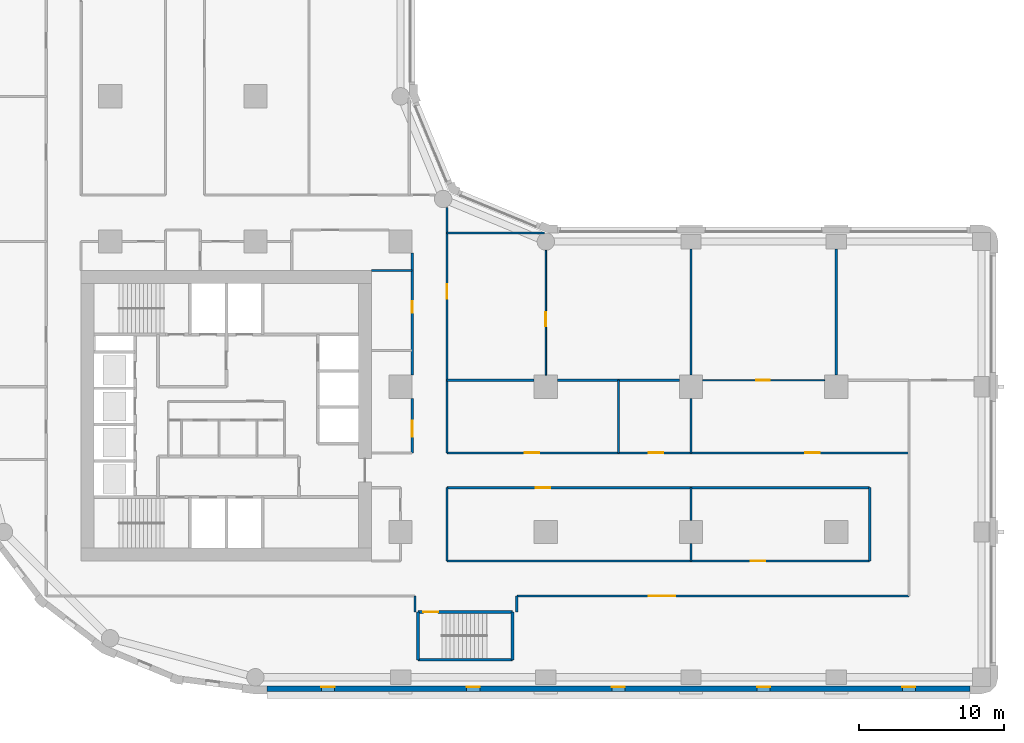
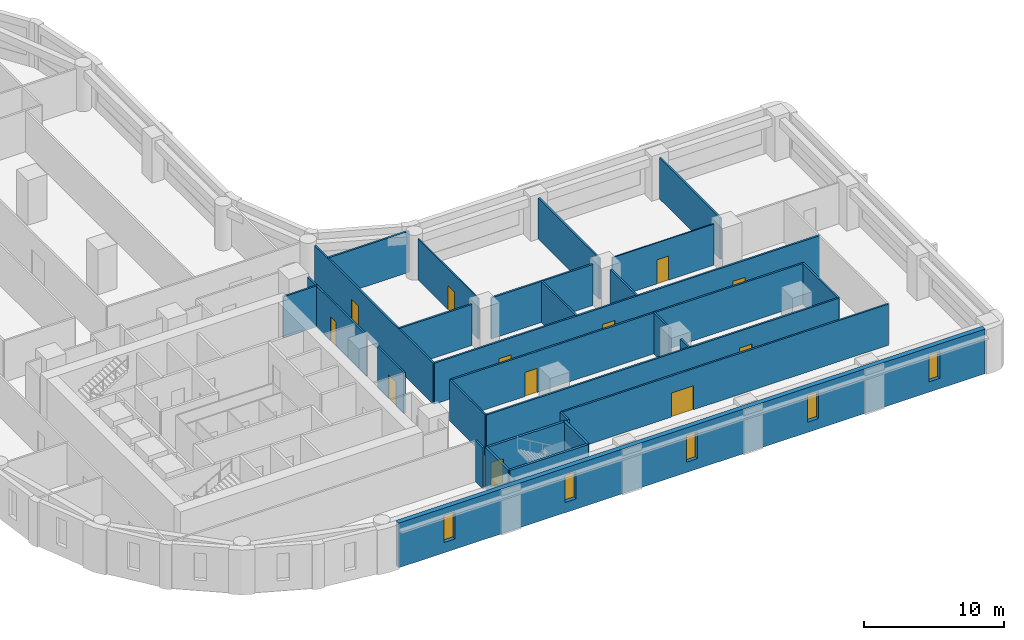
# One storey, part 4 of 10: 28 walls, 12 doors, 5 windows, 17 openings.
"""IFC4 building model written with IfcOpenShell, lengths in metres."""

from ifc_helpers import new_model, si_unit, direction, frame, frame_2d, origin, place, context, subcontext, project, spatial, rectangle, extrude, material, layer, layer_set, type_object, element, fill, save


model = new_model("IFC4")

# Units and contexts
model_context = context("Model", 3, precision=1e-05, world=origin(), true_north=direction((0.0, 1.0)))
body_context = subcontext(model_context, "Body", "Model", "MODEL_VIEW")
ifc_project = project(units=[si_unit("LENGTHUNIT", "METRE"), si_unit("AREAUNIT", "SQUARE_METRE"), si_unit("VOLUMEUNIT", "CUBIC_METRE"), si_unit("PLANEANGLEUNIT", "RADIAN"), si_unit("MASSUNIT", "GRAM", prefix="KILO")], contexts=[model_context])

# Site, building, storey
site_placement = place(None, origin())
site = spatial("IfcSite", under=ifc_project, at=site_placement, CompositionType="ELEMENT")
building_placement = place(site_placement, origin())
building = spatial("IfcBuilding", under=site, at=building_placement, Name="Qaws Garden Tower", CompositionType="ELEMENT")
storey_placement = place(building_placement, frame((0.0, 0.0, 74.39990234375)))
storey = spatial("IfcBuildingStorey", under=building, at=storey_placement, Name="L18", CompositionType="ELEMENT", Elevation=74.39990234375)

# Wall, openings, windows
ifc_material_1 = material(Name="Clay facing brick masonry", Category="masonry")
ifc_layer_1 = layer(ifc_material_1, 0.39990234375)
ifc_layer_set_1 = layer_set([ifc_layer_1], Name="Clay facing brick masonry")
wall_type_1 = type_object("IfcWallType", Name="Brick infill wall 400", PredefinedType="SOLIDWALL", material=ifc_layer_set_1)
wall_1_placement = place(storey_placement, frame((20.800048828125, -0.800048828125, 0.0), z_axis=(0.0, 0.0, 1.0), x_axis=(1.0, 0.0, 0.0)))
wall_1 = element("IfcWall", 1, at=wall_1_placement, inside=storey, type_object=wall_type_1, Name="E-L18-infill-00", PredefinedType="SOLIDWALL", context=body_context, shape_type="SweptSolid", body=[
    extrude(rectangle(XDim=48.39990234375, YDim=0.39990234375, at=frame_2d((24.199951171875, 0.0))), origin(), (0.0, 0.0, 1.0), 3.900146484375),
])
opening_1_placement = place(wall_1_placement, frame((3.75, 0.0, 0.89990234375)))
opening_1 = element("IfcOpeningElement", 2, at=opening_1_placement, cuts=wall_1, Name="Opening W09", PredefinedType="OPENING", context=body_context, shape_type="SweptSolid", body=[
    extrude(rectangle(XDim=0.89990234375, YDim=2.35009765625, at=frame_2d((0.449951171875, 1.175048828125))), frame((0.0, 0.2099609375, 0.0), z_axis=(0.0, -1.0, 0.0), x_axis=(1.0, 0.0, 0.0)), (0.0, 0.0, 1.0), 0.419921875),
])
opening_2_placement = place(wall_1_placement, frame((13.75, 0.0, 0.89990234375)))
opening_2 = element("IfcOpeningElement", 3, at=opening_2_placement, cuts=wall_1, Name="Opening W09", PredefinedType="OPENING", context=body_context, shape_type="SweptSolid", body=[
    extrude(rectangle(XDim=0.89990234375, YDim=2.35009765625, at=frame_2d((0.449951171875, 1.175048828125))), frame((0.0, 0.2099609375, 0.0), z_axis=(0.0, -1.0, 0.0), x_axis=(1.0, 0.0, 0.0)), (0.0, 0.0, 1.0), 0.419921875),
])
opening_3_placement = place(wall_1_placement, frame((23.75, 0.0, 0.89990234375)))
opening_3 = element("IfcOpeningElement", 4, at=opening_3_placement, cuts=wall_1, Name="Opening W09", PredefinedType="OPENING", context=body_context, shape_type="SweptSolid", body=[
    extrude(rectangle(XDim=0.89990234375, YDim=2.35009765625, at=frame_2d((0.449951171875, 1.175048828125))), frame((0.0, 0.2099609375, 0.0), z_axis=(0.0, -1.0, 0.0), x_axis=(1.0, 0.0, 0.0)), (0.0, 0.0, 1.0), 0.419921875),
])
opening_4_placement = place(wall_1_placement, frame((33.75, 0.0, 0.89990234375)))
opening_4 = element("IfcOpeningElement", 5, at=opening_4_placement, cuts=wall_1, Name="Opening W09", PredefinedType="OPENING", context=body_context, shape_type="SweptSolid", body=[
    extrude(rectangle(XDim=0.89990234375, YDim=2.35009765625, at=frame_2d((0.449951171875, 1.175048828125))), frame((0.0, 0.2099609375, 0.0), z_axis=(0.0, -1.0, 0.0), x_axis=(1.0, 0.0, 0.0)), (0.0, 0.0, 1.0), 0.419921875),
])
opening_5_placement = place(wall_1_placement, frame((43.75, 0.0, 0.89990234375)))
opening_5 = element("IfcOpeningElement", 6, at=opening_5_placement, cuts=wall_1, Name="Opening W09", PredefinedType="OPENING", context=body_context, shape_type="SweptSolid", body=[
    extrude(rectangle(XDim=0.89990234375, YDim=2.35009765625, at=frame_2d((0.449951171875, 1.175048828125))), frame((0.0, 0.2099609375, 0.0), z_axis=(0.0, -1.0, 0.0), x_axis=(1.0, 0.0, 0.0)), (0.0, 0.0, 1.0), 0.419921875),
])
ifc_material_2 = material(Name="Aluminium framed window, clear glazing", Category="aluminium")
window_type = type_object("IfcWindowType", Name="Slit window 900 x 2350", PartitioningType="SINGLE_PANEL", PredefinedType="WINDOW", material=ifc_material_2)
window_1_placement = place(opening_1_placement, origin())
window_1 = element("IfcWindow", 7, at=window_1_placement, inside=storey, type_object=window_type, Name="E-L18-window-00-0", OverallHeight=2.35009765625, OverallWidth=0.89990234375, PartitioningType="SINGLE_PANEL", PredefinedType="WINDOW", context=body_context, shape_type="SweptSolid", body=[
    extrude(rectangle(XDim=0.89990234375, YDim=2.35009765625, at=frame_2d((0.449951171875, 1.175048828125))), frame((0.0, 0.159912109375, 0.0), z_axis=(0.0, -1.0, 0.0), x_axis=(1.0, 0.0, 0.0)), (0.0, 0.0, 1.0), 0.06005859375),
])
fill(opening_1, window_1)
window_2_placement = place(opening_2_placement, origin())
window_2 = element("IfcWindow", 8, at=window_2_placement, inside=storey, type_object=window_type, Name="E-L18-window-01-0", OverallHeight=2.35009765625, OverallWidth=0.89990234375, PartitioningType="SINGLE_PANEL", PredefinedType="WINDOW", context=body_context, shape_type="SweptSolid", body=[
    extrude(rectangle(XDim=0.89990234375, YDim=2.35009765625, at=frame_2d((0.449951171875, 1.175048828125))), frame((0.0, 0.159912109375, 0.0), z_axis=(0.0, -1.0, 0.0), x_axis=(1.0, 0.0, 0.0)), (0.0, 0.0, 1.0), 0.06005859375),
])
fill(opening_2, window_2)
window_3_placement = place(opening_3_placement, origin())
window_3 = element("IfcWindow", 9, at=window_3_placement, inside=storey, type_object=window_type, Name="E-L18-window-02-0", OverallHeight=2.35009765625, OverallWidth=0.89990234375, PartitioningType="SINGLE_PANEL", PredefinedType="WINDOW", context=body_context, shape_type="SweptSolid", body=[
    extrude(rectangle(XDim=0.89990234375, YDim=2.35009765625, at=frame_2d((0.449951171875, 1.175048828125))), frame((0.0, 0.159912109375, 0.0), z_axis=(0.0, -1.0, 0.0), x_axis=(1.0, 0.0, 0.0)), (0.0, 0.0, 1.0), 0.06005859375),
])
fill(opening_3, window_3)
window_4_placement = place(opening_4_placement, origin())
window_4 = element("IfcWindow", 10, at=window_4_placement, inside=storey, type_object=window_type, Name="E-L18-window-03-0", OverallHeight=2.35009765625, OverallWidth=0.89990234375, PartitioningType="SINGLE_PANEL", PredefinedType="WINDOW", context=body_context, shape_type="SweptSolid", body=[
    extrude(rectangle(XDim=0.89990234375, YDim=2.35009765625, at=frame_2d((0.449951171875, 1.175048828125))), frame((0.0, 0.159912109375, 0.0), z_axis=(0.0, -1.0, 0.0), x_axis=(1.0, 0.0, 0.0)), (0.0, 0.0, 1.0), 0.06005859375),
])
fill(opening_4, window_4)
window_5_placement = place(opening_5_placement, origin())
window_5 = element("IfcWindow", 11, at=window_5_placement, inside=storey, type_object=window_type, Name="E-L18-window-04-0", OverallHeight=2.35009765625, OverallWidth=0.89990234375, PartitioningType="SINGLE_PANEL", PredefinedType="WINDOW", context=body_context, shape_type="SweptSolid", body=[
    extrude(rectangle(XDim=0.89990234375, YDim=2.35009765625, at=frame_2d((0.449951171875, 1.175048828125))), frame((0.0, 0.159912109375, 0.0), z_axis=(0.0, -1.0, 0.0), x_axis=(1.0, 0.0, 0.0)), (0.0, 0.0, 1.0), 0.06005859375),
])
fill(opening_5, window_5)

# Wall
ifc_material_3 = material(Name="Concrete C80", Category="concrete")
ifc_layer_2 = layer(ifc_material_3, 0.199951171875)
ifc_layer_set_2 = layer_set([ifc_layer_2], Name="Concrete C80")
wall_type_2 = type_object("IfcWallType", Name="Core shaft wall 200 C80", PredefinedType="SHEAR", material=ifc_layer_set_2)
wall_2_placement = place(storey_placement, frame((31.199951171875, 1.199951171875, 0.0), z_axis=(0.0, 0.0, 1.0), x_axis=(1.0, 0.0, 0.0)))
element("IfcWall", 12, at=wall_2_placement, inside=storey, type_object=wall_type_2, Name="Shaft wall", PredefinedType="SHEAR", context=body_context, shape_type="SweptSolid", body=[
    extrude(rectangle(XDim=6.5, YDim=0.199951171875, at=frame_2d((3.25, 0.0))), origin(), (0.0, 0.0, 1.0), 3.580078125),
])

# Wall, opening, door
wall_3_placement = place(storey_placement, frame((31.199951171875, 4.5, 0.0), z_axis=(0.0, 0.0, 1.0), x_axis=(1.0, 0.0, 0.0)))
wall_3 = element("IfcWall", 13, at=wall_3_placement, inside=storey, type_object=wall_type_2, Name="Shaft wall", PredefinedType="SHEAR", context=body_context, shape_type="SweptSolid", body=[
    extrude(rectangle(XDim=6.5, YDim=0.199951171875, at=frame_2d((3.25, 0.0))), origin(), (0.0, 0.0, 1.0), 3.580078125),
])
opening_6_placement = place(wall_3_placement, frame((0.375, 0.0, 0.0)))
opening_6 = element("IfcOpeningElement", 14, at=opening_6_placement, cuts=wall_3, Name="Opening SD12", PredefinedType="OPENING", context=body_context, shape_type="SweptSolid", body=[
    extrude(rectangle(XDim=1.0, YDim=2.10009765625, at=frame_2d((0.5, 1.050048828125))), frame((0.0, 0.10986328125, 0.0), z_axis=(0.0, -1.0, 0.0), x_axis=(1.0, 0.0, 0.0)), (0.0, 0.0, 1.0), 0.219970703125),
])
ifc_material_4 = material(Name="Steel S235", Category="steel")
door_type_1 = type_object("IfcDoorType", Name="Stair door 1000x2100", OperationType="SINGLE_SWING_RIGHT", PredefinedType="DOOR", material=ifc_material_4)
door_1_placement = place(opening_6_placement, frame((1.0, 0.0, 0.0), z_axis=(0.0, 0.0, 1.0), x_axis=(-1.0, 0.0, 0.0)))
door_1 = element("IfcDoor", 15, at=door_1_placement, inside=storey, type_object=door_type_1, Name="Stair 5 door", OperationType="SINGLE_SWING_RIGHT", OverallHeight=2.10009765625, OverallWidth=1.0, PredefinedType="DOOR", context=body_context, shape_type="SweptSolid", body=[
    extrude(rectangle(XDim=1.0, YDim=2.10009765625, at=frame_2d((0.5, 1.050048828125))), frame((0.0, 0.02490234375, 0.0), z_axis=(0.0, -1.0, 0.0), x_axis=(1.0, 0.0, 0.0)), (0.0, 0.0, 1.0), 0.050048828125),
])
fill(opening_6, door_1)

# Walls
for number, where, z_axis, x_axis, name in (
    (16, (31.199951171875, 1.199951171875, 0.0), (0.0, 0.0, 1.0), (0.0, 1.0, 0.0), "Shaft wall"),
    (17, (37.699951171875, 1.199951171875, 0.0), (0.0, 0.0, 1.0), (0.0, 1.0, 0.0), "Shaft wall"),
):
    element("IfcWall", number, at=place(storey_placement, frame(where, z_axis=z_axis, x_axis=x_axis)), inside=storey, type_object=wall_type_2, Name=name, PredefinedType="SHEAR", context=body_context, shape_type="SweptSolid", body=[
        extrude(rectangle(XDim=3.300048828125, YDim=0.199951171875, at=frame_2d((1.64990234375, 0.0))), origin(), (0.0, 0.0, 1.0), 3.580078125),
    ])

# Wall, opening, door
ifc_material_5 = material(Name="Gypsum board partition")
ifc_layer_3 = layer(ifc_material_5, 0.10009765625)
ifc_layer_set_3 = layer_set([ifc_layer_3], Name="Gypsum board partition")
wall_type_3 = type_object("IfcWallType", Name="PARTITION 100", PredefinedType="PARTITIONING", material=ifc_layer_set_3)
wall_4_placement = place(storey_placement, frame((40.0, 20.800048828125, 0.0), z_axis=(0.0, 0.0, 1.0), x_axis=(0.0, 1.0, 0.0)))
wall_4 = element("IfcWall", 18, at=wall_4_placement, inside=storey, type_object=wall_type_3, Name="O-L18-wall-001", PredefinedType="PARTITIONING", context=body_context, shape_type="SweptSolid", body=[
    extrude(rectangle(XDim=8.599853515625, YDim=0.10009765625, at=frame_2d((4.2998046875, 0.0))), origin(), (0.0, 0.0, 1.0), 3.580078125),
])
opening_7_placement = place(wall_4_placement, frame((3.375, 0.0, 0.0)))
opening_7 = element("IfcOpeningElement", 19, at=opening_7_placement, cuts=wall_4, Name="Opening A626", PredefinedType="OPENING", context=body_context, shape_type="SweptSolid", body=[
    extrude(rectangle(XDim=0.949951171875, YDim=2.10009765625, at=frame_2d((0.47509765625, 1.050048828125))), frame((0.0, 0.06005859375, 0.0), z_axis=(0.0, -1.0, 0.0), x_axis=(1.0, 0.0, 0.0)), (0.0, 0.0, 1.0), 0.1201171875),
])
ifc_material_6 = material(Name="Timber and glass door leaf", Category="wood")
door_type_2 = type_object("IfcDoorType", Name="GLAZED DOOR 950 X 2100", OperationType="SINGLE_SWING_LEFT", PredefinedType="DOOR", material=ifc_material_6)
door_2_placement = place(opening_7_placement, origin())
door_2 = element("IfcDoor", 20, at=door_2_placement, inside=storey, type_object=door_type_2, Name="O-L18-door-026", OperationType="SINGLE_SWING_RIGHT", OverallHeight=2.10009765625, OverallWidth=0.949951171875, PredefinedType="DOOR", context=body_context, shape_type="SweptSolid", body=[
    extrude(rectangle(XDim=0.949951171875, YDim=2.10009765625, at=frame_2d((0.47509765625, 1.050048828125))), frame((0.0, 0.02490234375, 0.0), z_axis=(0.0, -1.0, 0.0), x_axis=(1.0, 0.0, 0.0)), (0.0, 0.0, 1.0), 0.050048828125),
])
fill(opening_7, door_2)

wall_5_placement = place(storey_placement, frame((50.800048828125, 20.449951171875, 0.0), z_axis=(0.0, 0.0, 1.0), x_axis=(1.0, 0.0, 0.0)))
wall_5 = element("IfcWall", 21, at=wall_5_placement, inside=storey, type_object=wall_type_3, Name="O-L18-wall-002", PredefinedType="PARTITIONING", context=body_context, shape_type="SweptSolid", body=[
    extrude(rectangle(XDim=8.39990234375, YDim=0.10009765625, at=frame_2d((4.199951171875, 0.0))), origin(), (0.0, 0.0, 1.0), 3.580078125),
])
opening_8_placement = place(wall_5_placement, frame((3.675048828125, 0.0, 0.0)))
opening_8 = element("IfcOpeningElement", 22, at=opening_8_placement, cuts=wall_5, Name="Opening A627", PredefinedType="OPENING", context=body_context, shape_type="SweptSolid", body=[
    extrude(rectangle(XDim=0.949951171875, YDim=2.10009765625, at=frame_2d((0.47509765625, 1.050048828125))), frame((0.0, 0.06005859375, 0.0), z_axis=(0.0, -1.0, 0.0), x_axis=(1.0, 0.0, 0.0)), (0.0, 0.0, 1.0), 0.1201171875),
])
door_3_placement = place(opening_8_placement, frame((0.949951171875, 0.0, 0.0), z_axis=(0.0, 0.0, 1.0), x_axis=(-1.0, 0.0, 0.0)))
door_3 = element("IfcDoor", 23, at=door_3_placement, inside=storey, type_object=door_type_2, Name="O-L18-door-027", OperationType="SINGLE_SWING_RIGHT", OverallHeight=2.10009765625, OverallWidth=0.949951171875, PredefinedType="DOOR", context=body_context, shape_type="SweptSolid", body=[
    extrude(rectangle(XDim=0.949951171875, YDim=2.10009765625, at=frame_2d((0.47509765625, 1.050048828125))), frame((0.0, 0.02490234375, 0.0), z_axis=(0.0, -1.0, 0.0), x_axis=(1.0, 0.0, 0.0)), (0.0, 0.0, 1.0), 0.050048828125),
])
fill(opening_8, door_3)

ifc_material_7 = material(Name="Gypsum board partition")
ifc_layer_4 = layer(ifc_material_7, 0.14990234375)
ifc_layer_set_4 = layer_set([ifc_layer_4], Name="Gypsum board partition")
wall_type_4 = type_object("IfcWallType", Name="PARTITION 150 EI 60", PredefinedType="PARTITIONING", material=ifc_layer_set_4)
wall_6_placement = place(storey_placement, frame((30.800048828125, 15.449951171875, 0.0), z_axis=(0.0, 0.0, 1.0), x_axis=(0.0, 1.0, 0.0)))
wall_6 = element("IfcWall", 24, at=wall_6_placement, inside=storey, type_object=wall_type_4, Name="O-L18-wall-019", PredefinedType="PARTITIONING", context=body_context, shape_type="SweptSolid", body=[
    extrude(rectangle(XDim=3.75, YDim=0.14990234375, at=frame_2d((1.875, 0.0))), origin(), (0.0, 0.0, 1.0), 3.580078125),
])
opening_9_placement = place(wall_6_placement, frame((1.10009765625, 0.0, 0.0)))
opening_9 = element("IfcOpeningElement", 25, at=opening_9_placement, cuts=wall_6, Name="Opening A607", PredefinedType="OPENING", context=body_context, shape_type="SweptSolid", body=[
    extrude(rectangle(XDim=1.10009765625, YDim=2.10009765625, at=frame_2d((0.550048828125, 1.050048828125))), frame((0.0, 0.0849609375, 0.0), z_axis=(0.0, -1.0, 0.0), x_axis=(1.0, 0.0, 0.0)), (0.0, 0.0, 1.0), 0.169921875),
])
ifc_material_8 = material(Name="Timber door leaf", Category="wood")
door_type_3 = type_object("IfcDoorType", Name="SERVICE ROOM DOOR 1100 X 2100", OperationType="SINGLE_SWING_LEFT", PredefinedType="DOOR", material=ifc_material_8)
door_4_placement = place(opening_9_placement, origin())
door_4 = element("IfcDoor", 26, at=door_4_placement, inside=storey, type_object=door_type_3, Name="O-L18-door-007", OperationType="SINGLE_SWING_LEFT", OverallHeight=2.10009765625, OverallWidth=1.10009765625, PredefinedType="DOOR", context=body_context, shape_type="SweptSolid", body=[
    extrude(rectangle(XDim=1.10009765625, YDim=2.10009765625, at=frame_2d((0.550048828125, 1.050048828125))), frame((0.0, 0.02490234375, 0.0), z_axis=(0.0, -1.0, 0.0), x_axis=(1.0, 0.0, 0.0)), (0.0, 0.0, 1.0), 0.050048828125),
])
fill(opening_9, door_4)

wall_7_placement = place(storey_placement, frame((30.800048828125, 20.800048828125, 0.0), z_axis=(0.0, 0.0, 1.0), x_axis=(0.0, 1.0, 0.0)))
wall_7 = element("IfcWall", 27, at=wall_7_placement, inside=storey, type_object=wall_type_4, Name="O-L18-wall-020", PredefinedType="PARTITIONING", context=body_context, shape_type="SweptSolid", body=[
    extrude(rectangle(XDim=8.39990234375, YDim=0.14990234375, at=frame_2d((4.199951171875, 0.0))), origin(), (0.0, 0.0, 1.0), 3.580078125),
])
opening_10_placement = place(wall_7_placement, frame((4.300048828125, 0.0, 0.0)))
opening_10 = element("IfcOpeningElement", 28, at=opening_10_placement, cuts=wall_7, Name="Opening A608", PredefinedType="OPENING", context=body_context, shape_type="SweptSolid", body=[
    extrude(rectangle(XDim=0.800048828125, YDim=2.10009765625, at=frame_2d((0.39990234375, 1.050048828125))), frame((0.0, 0.0849609375, 0.0), z_axis=(0.0, -1.0, 0.0), x_axis=(1.0, 0.0, 0.0)), (0.0, 0.0, 1.0), 0.169921875),
])
ifc_material_9 = material(Name="Timber door leaf", Category="wood")
door_type_4 = type_object("IfcDoorType", Name="STORE DOOR 800 X 2100", OperationType="SINGLE_SWING_LEFT", PredefinedType="DOOR", material=ifc_material_9)
door_5_placement = place(opening_10_placement, origin())
door_5 = element("IfcDoor", 29, at=door_5_placement, inside=storey, type_object=door_type_4, Name="O-L18-door-008", OperationType="SINGLE_SWING_RIGHT", OverallHeight=2.10009765625, OverallWidth=0.800048828125, PredefinedType="DOOR", context=body_context, shape_type="SweptSolid", body=[
    extrude(rectangle(XDim=0.800048828125, YDim=2.10009765625, at=frame_2d((0.39990234375, 1.050048828125))), frame((0.0, 0.02490234375, 0.0), z_axis=(0.0, -1.0, 0.0), x_axis=(1.0, 0.0, 0.0)), (0.0, 0.0, 1.0), 0.050048828125),
])
fill(opening_10, door_5)

# Walls
wall_8_placement = place(storey_placement, frame((31.0, 4.5, 0.0), z_axis=(0.0, 0.0, 1.0), x_axis=(0.0, 1.0, 0.0)))
element("IfcWall", 30, at=wall_8_placement, inside=storey, type_object=wall_type_4, Name="O-L18-wall-021", PredefinedType="PARTITIONING", context=body_context, shape_type="SweptSolid", body=[
    extrude(rectangle(XDim=1.10009765625, YDim=0.14990234375, at=frame_2d((0.550048828125, 0.0))), origin(), (0.0, 0.0, 1.0), 3.580078125),
])
wall_9_placement = place(storey_placement, frame((33.199951171875, 8.0, 0.0), z_axis=(0.0, 0.0, 1.0), x_axis=(0.0, 1.0, 0.0)))
element("IfcWall", 31, at=wall_9_placement, inside=storey, type_object=wall_type_4, Name="O-L18-wall-022", PredefinedType="PARTITIONING", context=body_context, shape_type="SweptSolid", body=[
    extrude(rectangle(XDim=5.050048828125, YDim=0.14990234375, at=frame_2d((2.52490234375, 0.0))), origin(), (0.0, 0.0, 1.0), 3.580078125),
])

# Wall, opening, door
wall_10_placement = place(storey_placement, frame((33.199951171875, 15.449951171875, 0.0), z_axis=(0.0, 0.0, 1.0), x_axis=(0.0, 1.0, 0.0)))
wall_10 = element("IfcWall", 32, at=wall_10_placement, inside=storey, type_object=wall_type_4, Name="O-L18-wall-023", PredefinedType="PARTITIONING", context=body_context, shape_type="SweptSolid", body=[
    extrude(rectangle(XDim=16.912109375, YDim=0.14990234375, at=frame_2d((8.4560546875, 0.0))), origin(), (0.0, 0.0, 1.0), 3.580078125),
])
opening_11_placement = place(wall_10_placement, frame((10.60009765625, 0.0, 0.0)))
opening_11 = element("IfcOpeningElement", 33, at=opening_11_placement, cuts=wall_10, Name="Opening A605", PredefinedType="OPENING", context=body_context, shape_type="SweptSolid", body=[
    extrude(rectangle(XDim=1.0, YDim=2.10009765625, at=frame_2d((0.5, 1.050048828125))), frame((0.0, 0.0849609375, 0.0), z_axis=(0.0, -1.0, 0.0), x_axis=(1.0, 0.0, 0.0)), (0.0, 0.0, 1.0), 0.169921875),
])
ifc_material_10 = material(Name="Timber door leaf", Category="wood")
door_type_5 = type_object("IfcDoorType", Name="TENANCY ENTRANCE DOOR 1000 X 2100", OperationType="SINGLE_SWING_LEFT", PredefinedType="DOOR", material=ifc_material_10)
door_6_placement = place(opening_11_placement, frame((1.0, 0.0, 0.0), z_axis=(0.0, 0.0, 1.0), x_axis=(-1.0, 0.0, 0.0)))
door_6 = element("IfcDoor", 34, at=door_6_placement, inside=storey, type_object=door_type_5, Name="O-L18-door-005", OperationType="SINGLE_SWING_LEFT", OverallHeight=2.10009765625, OverallWidth=1.0, PredefinedType="DOOR", context=body_context, shape_type="SweptSolid", body=[
    extrude(rectangle(XDim=1.0, YDim=2.10009765625, at=frame_2d((0.5, 1.050048828125))), frame((0.0, 0.02490234375, 0.0), z_axis=(0.0, -1.0, 0.0), x_axis=(1.0, 0.0, 0.0)), (0.0, 0.0, 1.0), 0.050048828125),
])
fill(opening_11, door_6)

# Walls
wall_11_placement = place(storey_placement, frame((38.0, 4.5, 0.0), z_axis=(0.0, 0.0, 1.0), x_axis=(0.0, 1.0, 0.0)))
element("IfcWall", 35, at=wall_11_placement, inside=storey, type_object=wall_type_4, Name="O-L18-wall-024", PredefinedType="PARTITIONING", context=body_context, shape_type="SweptSolid", body=[
    extrude(rectangle(XDim=1.10009765625, YDim=0.14990234375, at=frame_2d((0.550048828125, 0.0))), origin(), (0.0, 0.0, 1.0), 3.580078125),
])
wall_12_placement = place(storey_placement, frame((45.0, 15.449951171875, 0.0), z_axis=(0.0, 0.0, 1.0), x_axis=(0.0, 1.0, 0.0)))
element("IfcWall", 36, at=wall_12_placement, inside=storey, type_object=wall_type_4, Name="O-L18-wall-025", PredefinedType="PARTITIONING", context=body_context, shape_type="SweptSolid", body=[
    extrude(rectangle(XDim=5.0, YDim=0.14990234375, at=frame_2d((2.5, 0.0))), origin(), (0.0, 0.0, 1.0), 3.580078125),
])
wall_13_placement = place(storey_placement, frame((50.0, 8.0, 0.0), z_axis=(0.0, 0.0, 1.0), x_axis=(0.0, 1.0, 0.0)))
element("IfcWall", 37, at=wall_13_placement, inside=storey, type_object=wall_type_4, Name="O-L18-wall-026", PredefinedType="PARTITIONING", context=body_context, shape_type="SweptSolid", body=[
    extrude(rectangle(XDim=1.199951171875, YDim=0.14990234375, at=frame_2d((0.60009765625, 0.0))), origin(), (0.0, 0.0, 1.0), 3.580078125),
])
wall_14_placement = place(storey_placement, frame((50.0, 10.800048828125, 0.0), z_axis=(0.0, 0.0, 1.0), x_axis=(0.0, 1.0, 0.0)))
element("IfcWall", 38, at=wall_14_placement, inside=storey, type_object=wall_type_4, Name="O-L18-wall-027", PredefinedType="PARTITIONING", context=body_context, shape_type="SweptSolid", body=[
    extrude(rectangle(XDim=2.25, YDim=0.14990234375, at=frame_2d((1.125, 0.0))), origin(), (0.0, 0.0, 1.0), 3.580078125),
])
wall_15_placement = place(storey_placement, frame((50.0, 15.449951171875, 0.0), z_axis=(0.0, 0.0, 1.0), x_axis=(0.0, 1.0, 0.0)))
element("IfcWall", 39, at=wall_15_placement, inside=storey, type_object=wall_type_4, Name="O-L18-wall-028", PredefinedType="PARTITIONING", context=body_context, shape_type="SweptSolid", body=[
    extrude(rectangle(XDim=3.75, YDim=0.14990234375, at=frame_2d((1.875, 0.0))), origin(), (0.0, 0.0, 1.0), 3.580078125),
])
for number, where, z_axis, x_axis, name in (
    (40, (50.0, 20.800048828125, 0.0), (0.0, 0.0, 1.0), (0.0, 1.0, 0.0), "O-L18-wall-029"),
    (41, (60.0, 20.800048828125, 0.0), (0.0, 0.0, 1.0), (0.0, 1.0, 0.0), "O-L18-wall-030"),
):
    element("IfcWall", number, at=place(storey_placement, frame(where, z_axis=z_axis, x_axis=x_axis)), inside=storey, type_object=wall_type_4, Name=name, PredefinedType="PARTITIONING", context=body_context, shape_type="SweptSolid", body=[
        extrude(rectangle(XDim=8.699951171875, YDim=0.14990234375, at=frame_2d((4.35009765625, 0.0))), origin(), (0.0, 0.0, 1.0), 3.580078125),
    ])
wall_16_placement = place(storey_placement, frame((62.300048828125, 8.0, 0.0), z_axis=(0.0, 0.0, 1.0), x_axis=(0.0, 1.0, 0.0)))
element("IfcWall", 42, at=wall_16_placement, inside=storey, type_object=wall_type_4, Name="O-L18-wall-031", PredefinedType="PARTITIONING", context=body_context, shape_type="SweptSolid", body=[
    extrude(rectangle(XDim=5.050048828125, YDim=0.14990234375, at=frame_2d((2.52490234375, 0.0))), origin(), (0.0, 0.0, 1.0), 3.580078125),
])

# Wall, opening, door
wall_17_placement = place(storey_placement, frame((38.0, 5.60009765625, 0.0), z_axis=(0.0, 0.0, 1.0), x_axis=(1.0, 0.0, 0.0)))
wall_17 = element("IfcWall", 43, at=wall_17_placement, inside=storey, type_object=wall_type_4, Name="O-L18-wall-034", PredefinedType="PARTITIONING", context=body_context, shape_type="SweptSolid", body=[
    extrude(rectangle(XDim=27.0, YDim=0.14990234375, at=frame_2d((13.5, 0.0))), origin(), (0.0, 0.0, 1.0), 3.580078125),
])
opening_12_placement = place(wall_17_placement, frame((9.10009765625, 0.0, 0.0)))
opening_12 = element("IfcOpeningElement", 44, at=opening_12_placement, cuts=wall_17, Name="Opening A622", PredefinedType="OPENING", context=body_context, shape_type="SweptSolid", body=[
    extrude(rectangle(XDim=1.800048828125, YDim=2.10009765625, at=frame_2d((0.89990234375, 1.050048828125))), frame((0.0, 0.0849609375, 0.0), z_axis=(0.0, -1.0, 0.0), x_axis=(1.0, 0.0, 0.0)), (0.0, 0.0, 1.0), 0.169921875),
])
ifc_material_11 = material(Name="Timber door leaf", Category="wood")
door_type_6 = type_object("IfcDoorType", Name="DOUBLE DOOR 1800 X 2100", OperationType="DOUBLE_DOOR_SINGLE_SWING", PredefinedType="DOOR", material=ifc_material_11)
door_7_placement = place(opening_12_placement, frame((1.800048828125, 0.0, 0.0), z_axis=(0.0, 0.0, 1.0), x_axis=(-1.0, 0.0, 0.0)))
door_7 = element("IfcDoor", 45, at=door_7_placement, inside=storey, type_object=door_type_6, Name="O-L18-door-022", OperationType="DOUBLE_DOOR_SINGLE_SWING", OverallHeight=2.10009765625, OverallWidth=1.800048828125, PredefinedType="DOOR", context=body_context, shape_type="SweptSolid", body=[
    extrude(rectangle(XDim=1.800048828125, YDim=2.10009765625, at=frame_2d((0.89990234375, 1.050048828125))), frame((0.0, 0.02490234375, 0.0), z_axis=(0.0, -1.0, 0.0), x_axis=(1.0, 0.0, 0.0)), (0.0, 0.0, 1.0), 0.050048828125),
])
fill(opening_12, door_7)

wall_18_placement = place(storey_placement, frame((33.199951171875, 8.0, 0.0), z_axis=(0.0, 0.0, 1.0), x_axis=(1.0, 0.0, 0.0)))
wall_18 = element("IfcWall", 46, at=wall_18_placement, inside=storey, type_object=wall_type_4, Name="O-L18-wall-036", PredefinedType="PARTITIONING", context=body_context, shape_type="SweptSolid", body=[
    extrude(rectangle(XDim=29.10009765625, YDim=0.14990234375, at=frame_2d((14.550048828125, 0.0))), origin(), (0.0, 0.0, 1.0), 3.580078125),
])
opening_13_placement = place(wall_18_placement, frame((20.89990234375, 0.0, 0.0)))
opening_13 = element("IfcOpeningElement", 47, at=opening_13_placement, cuts=wall_18, Name="Opening A624", PredefinedType="OPENING", context=body_context, shape_type="SweptSolid", body=[
    extrude(rectangle(XDim=1.0, YDim=2.10009765625, at=frame_2d((0.5, 1.050048828125))), frame((0.0, 0.0849609375, 0.0), z_axis=(0.0, -1.0, 0.0), x_axis=(1.0, 0.0, 0.0)), (0.0, 0.0, 1.0), 0.169921875),
])
door_8_placement = place(opening_13_placement, origin())
door_8 = element("IfcDoor", 48, at=door_8_placement, inside=storey, type_object=door_type_5, Name="O-L18-door-024", OperationType="SINGLE_SWING_LEFT", OverallHeight=2.10009765625, OverallWidth=1.0, PredefinedType="DOOR", context=body_context, shape_type="SweptSolid", body=[
    extrude(rectangle(XDim=1.0, YDim=2.10009765625, at=frame_2d((0.5, 1.050048828125))), frame((0.0, 0.02490234375, 0.0), z_axis=(0.0, -1.0, 0.0), x_axis=(1.0, 0.0, 0.0)), (0.0, 0.0, 1.0), 0.050048828125),
])
fill(opening_13, door_8)

wall_19_placement = place(storey_placement, frame((33.199951171875, 13.050048828125, 0.0), z_axis=(0.0, 0.0, 1.0), x_axis=(1.0, 0.0, 0.0)))
wall_19 = element("IfcWall", 49, at=wall_19_placement, inside=storey, type_object=wall_type_4, Name="O-L18-wall-038", PredefinedType="PARTITIONING", context=body_context, shape_type="SweptSolid", body=[
    extrude(rectangle(XDim=29.10009765625, YDim=0.14990234375, at=frame_2d((14.550048828125, 0.0))), origin(), (0.0, 0.0, 1.0), 3.580078125),
])
opening_14_placement = place(wall_19_placement, frame((6.10009765625, 0.0, 0.0)))
opening_14 = element("IfcOpeningElement", 50, at=opening_14_placement, cuts=wall_19, Name="Opening A623", PredefinedType="OPENING", context=body_context, shape_type="SweptSolid", body=[
    extrude(rectangle(XDim=1.0, YDim=2.10009765625, at=frame_2d((0.5, 1.050048828125))), frame((0.0, 0.0849609375, 0.0), z_axis=(0.0, -1.0, 0.0), x_axis=(1.0, 0.0, 0.0)), (0.0, 0.0, 1.0), 0.169921875),
])
door_9_placement = place(opening_14_placement, frame((1.0, 0.0, 0.0), z_axis=(0.0, 0.0, 1.0), x_axis=(-1.0, 0.0, 0.0)))
door_9 = element("IfcDoor", 51, at=door_9_placement, inside=storey, type_object=door_type_5, Name="O-L18-door-023", OperationType="SINGLE_SWING_RIGHT", OverallHeight=2.10009765625, OverallWidth=1.0, PredefinedType="DOOR", context=body_context, shape_type="SweptSolid", body=[
    extrude(rectangle(XDim=1.0, YDim=2.10009765625, at=frame_2d((0.5, 1.050048828125))), frame((0.0, 0.02490234375, 0.0), z_axis=(0.0, -1.0, 0.0), x_axis=(1.0, 0.0, 0.0)), (0.0, 0.0, 1.0), 0.050048828125),
])
fill(opening_14, door_9)

# Wall, openings, doors
wall_20_placement = place(storey_placement, frame((33.199951171875, 15.449951171875, 0.0), z_axis=(0.0, 0.0, 1.0), x_axis=(1.0, 0.0, 0.0)))
wall_20 = element("IfcWall", 52, at=wall_20_placement, inside=storey, type_object=wall_type_4, Name="O-L18-wall-041", PredefinedType="PARTITIONING", context=body_context, shape_type="SweptSolid", body=[
    extrude(rectangle(XDim=31.800048828125, YDim=0.14990234375, at=frame_2d((15.89990234375, 0.0))), origin(), (0.0, 0.0, 1.0), 3.580078125),
])
opening_15_placement = place(wall_20_placement, frame((13.89990234375, 0.0, 0.0)))
opening_15 = element("IfcOpeningElement", 53, at=opening_15_placement, cuts=wall_20, Name="Opening A603", PredefinedType="OPENING", context=body_context, shape_type="SweptSolid", body=[
    extrude(rectangle(XDim=1.0, YDim=2.10009765625, at=frame_2d((0.5, 1.050048828125))), frame((0.0, 0.0849609375, 0.0), z_axis=(0.0, -1.0, 0.0), x_axis=(1.0, 0.0, 0.0)), (0.0, 0.0, 1.0), 0.169921875),
])
opening_16_placement = place(wall_20_placement, frame((24.64990234375, 0.0, 0.0)))
opening_16 = element("IfcOpeningElement", 54, at=opening_16_placement, cuts=wall_20, Name="Opening A604", PredefinedType="OPENING", context=body_context, shape_type="SweptSolid", body=[
    extrude(rectangle(XDim=1.0, YDim=2.10009765625, at=frame_2d((0.5, 1.050048828125))), frame((0.0, 0.0849609375, 0.0), z_axis=(0.0, -1.0, 0.0), x_axis=(1.0, 0.0, 0.0)), (0.0, 0.0, 1.0), 0.169921875),
])
opening_17_placement = place(wall_20_placement, frame((5.35009765625, 0.0, 0.0)))
opening_17 = element("IfcOpeningElement", 55, at=opening_17_placement, cuts=wall_20, Name="Opening A625", PredefinedType="OPENING", context=body_context, shape_type="SweptSolid", body=[
    extrude(rectangle(XDim=1.0, YDim=2.10009765625, at=frame_2d((0.5, 1.050048828125))), frame((0.0, 0.0849609375, 0.0), z_axis=(0.0, -1.0, 0.0), x_axis=(1.0, 0.0, 0.0)), (0.0, 0.0, 1.0), 0.169921875),
])
door_10_placement = place(opening_15_placement, origin())
door_10 = element("IfcDoor", 56, at=door_10_placement, inside=storey, type_object=door_type_5, Name="O-L18-door-003", OperationType="SINGLE_SWING_LEFT", OverallHeight=2.10009765625, OverallWidth=1.0, PredefinedType="DOOR", context=body_context, shape_type="SweptSolid", body=[
    extrude(rectangle(XDim=1.0, YDim=2.10009765625, at=frame_2d((0.5, 1.050048828125))), frame((0.0, 0.02490234375, 0.0), z_axis=(0.0, -1.0, 0.0), x_axis=(1.0, 0.0, 0.0)), (0.0, 0.0, 1.0), 0.050048828125),
])
fill(opening_15, door_10)
door_11_placement = place(opening_16_placement, origin())
door_11 = element("IfcDoor", 57, at=door_11_placement, inside=storey, type_object=door_type_5, Name="O-L18-door-004", OperationType="SINGLE_SWING_LEFT", OverallHeight=2.10009765625, OverallWidth=1.0, PredefinedType="DOOR", context=body_context, shape_type="SweptSolid", body=[
    extrude(rectangle(XDim=1.0, YDim=2.10009765625, at=frame_2d((0.5, 1.050048828125))), frame((0.0, 0.02490234375, 0.0), z_axis=(0.0, -1.0, 0.0), x_axis=(1.0, 0.0, 0.0)), (0.0, 0.0, 1.0), 0.050048828125),
])
fill(opening_16, door_11)
door_12_placement = place(opening_17_placement, origin())
door_12 = element("IfcDoor", 58, at=door_12_placement, inside=storey, type_object=door_type_5, Name="O-L18-door-025", OperationType="SINGLE_SWING_LEFT", OverallHeight=2.10009765625, OverallWidth=1.0, PredefinedType="DOOR", context=body_context, shape_type="SweptSolid", body=[
    extrude(rectangle(XDim=1.0, YDim=2.10009765625, at=frame_2d((0.5, 1.050048828125))), frame((0.0, 0.02490234375, 0.0), z_axis=(0.0, -1.0, 0.0), x_axis=(1.0, 0.0, 0.0)), (0.0, 0.0, 1.0), 0.050048828125),
])
fill(opening_17, door_12)

# Walls
wall_21_placement = place(storey_placement, frame((33.199951171875, 20.449951171875, 0.0), z_axis=(0.0, 0.0, 1.0), x_axis=(1.0, 0.0, 0.0)))
element("IfcWall", 59, at=wall_21_placement, inside=storey, type_object=wall_type_4, Name="O-L18-wall-043", PredefinedType="PARTITIONING", context=body_context, shape_type="SweptSolid", body=[
    extrude(rectangle(XDim=6.0, YDim=0.14990234375, at=frame_2d((3.0, 0.0))), origin(), (0.0, 0.0, 1.0), 3.580078125),
])
wall_22_placement = place(storey_placement, frame((40.800048828125, 20.449951171875, 0.0), z_axis=(0.0, 0.0, 1.0), x_axis=(1.0, 0.0, 0.0)))
element("IfcWall", 60, at=wall_22_placement, inside=storey, type_object=wall_type_4, Name="O-L18-wall-044", PredefinedType="PARTITIONING", context=body_context, shape_type="SweptSolid", body=[
    extrude(rectangle(XDim=8.39990234375, YDim=0.14990234375, at=frame_2d((4.199951171875, 0.0))), origin(), (0.0, 0.0, 1.0), 3.580078125),
])
wall_23_placement = place(storey_placement, frame((28.0, 28.0, 0.0), z_axis=(0.0, 0.0, 1.0), x_axis=(1.0, 0.0, 0.0)))
element("IfcWall", 61, at=wall_23_placement, inside=storey, type_object=wall_type_4, Name="O-L18-wall-047", PredefinedType="PARTITIONING", context=body_context, shape_type="SweptSolid", body=[
    extrude(rectangle(XDim=2.800048828125, YDim=0.14990234375, at=frame_2d((1.39990234375, 0.0))), origin(), (0.0, 0.0, 1.0), 3.580078125),
])
wall_24_placement = place(storey_placement, frame((33.199951171875, 30.60009765625, 0.0), z_axis=(0.0, 0.0, 1.0), x_axis=(1.0, 0.0, 0.0)))
element("IfcWall", 62, at=wall_24_placement, inside=storey, type_object=wall_type_4, Name="O-L18-wall-053", PredefinedType="PARTITIONING", context=body_context, shape_type="SweptSolid", body=[
    extrude(rectangle(XDim=6.698974609375, YDim=0.14990234375, at=frame_2d((3.349609375, 0.0))), origin(), (0.0, 0.0, 1.0), 3.580078125),
])

save(model, "model.ifc")
